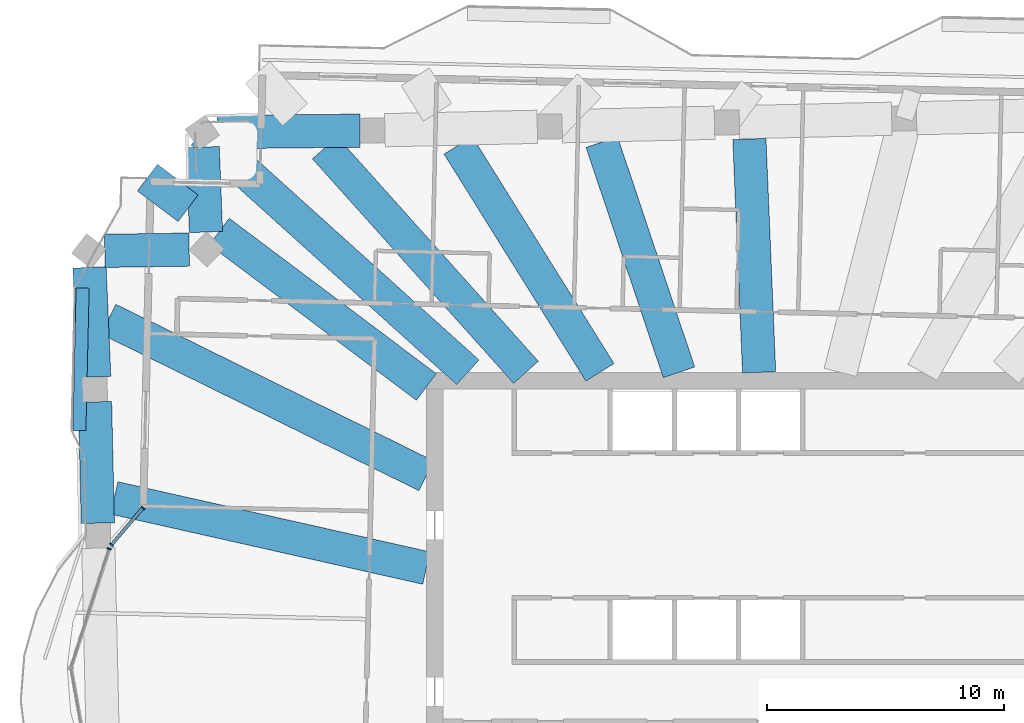
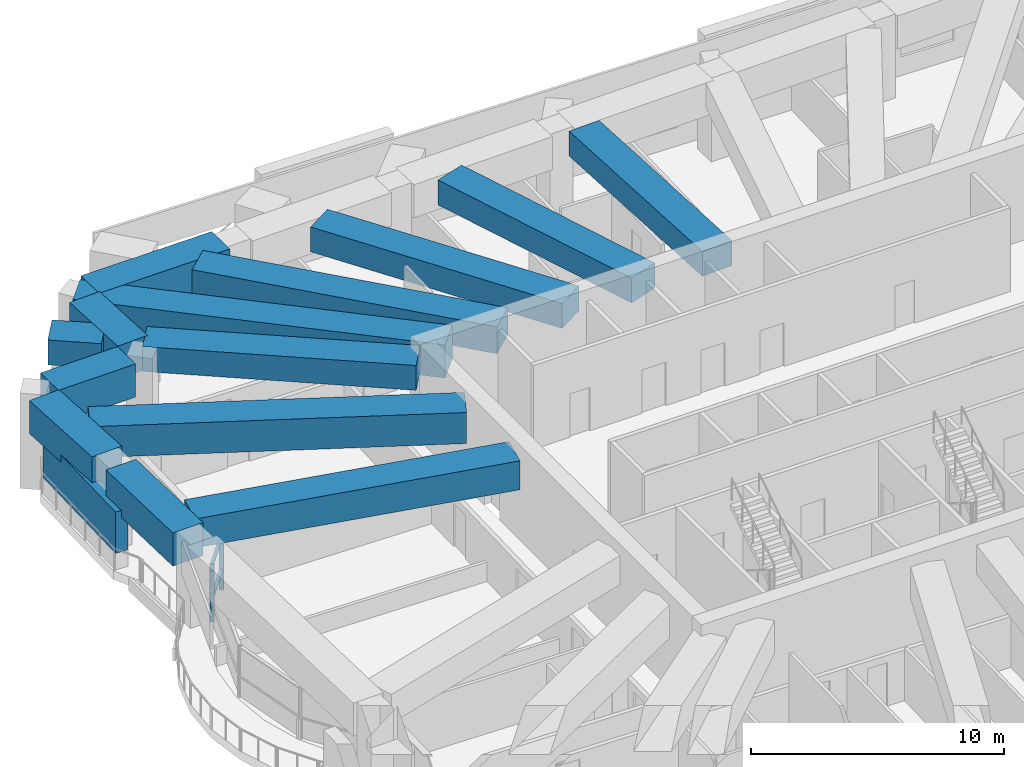
# One storey, part 5 of 20: 14 beams, 6 members, 2 elements without a shape of their own.
"""IFC4 building model written with IfcOpenShell, lengths in metres."""

from ifc_helpers import new_model, si_unit, direction, frame, origin, origin_2d, place, context, subcontext, project, spatial, rectangle, extrude, material, material_profile, profile_set, type_object, element, aggregate, save


model = new_model("IFC4")

# Units and contexts
model_context = context("Model", 3, precision=1e-05, world=origin(), true_north=direction((0.0, 1.0)))
body_context = subcontext(model_context, "Body", "Model", "MODEL_VIEW")
ifc_project = project(units=[si_unit("LENGTHUNIT", "METRE"), si_unit("AREAUNIT", "SQUARE_METRE"), si_unit("VOLUMEUNIT", "CUBIC_METRE"), si_unit("PLANEANGLEUNIT", "RADIAN"), si_unit("MASSUNIT", "GRAM", prefix="KILO")], contexts=[model_context])

# Site, building, storey
site_placement = place(None, origin())
site = spatial("IfcSite", under=ifc_project, at=site_placement, CompositionType="ELEMENT")
building_placement = place(site_placement, origin())
building = spatial("IfcBuilding", under=site, at=building_placement, Name="Mangrove Gate Tower", CompositionType="ELEMENT")
storey_placement = place(building_placement, frame((0.0, 0.0, 252.699951171875)))
storey = spatial("IfcBuildingStorey", under=building, at=storey_placement, Name="L64", CompositionType="ELEMENT", Elevation=252.699951171875)

# Member
ifc_material_1 = material(Name="Planting on aluminium trellis", Category="aluminium")
ifc_material_profile_1 = material_profile(ifc_material_1, rectangle(XDim=0.550048828125, YDim=2.0, at=origin_2d()))
ifc_profile_set_1 = profile_set([ifc_material_profile_1], Name="Planting on aluminium trellis")
member_type_1 = type_object("IfcMemberType", Name="Balcony greenery screen 550x2000", PredefinedType="USERDEFINED", material=ifc_profile_set_1)
member_1_placement = place(storey_placement, frame((-29.115966796875, 9.050048828125, 1.800048828125), z_axis=(0.022665943652, 0.999743094499, 0.0), x_axis=(-0.999743094499, 0.022665943652, 0.0)))
element("IfcMember", 1, at=member_1_placement, inside=storey, type_object=member_type_1, Name="GREEN SCREEN L64 W0.1", ObjectType="PLANTING", PredefinedType="USERDEFINED", context=body_context, shape_type="SweptSolid", body=[
    extrude(rectangle(XDim=0.550048828125, YDim=2.0, at=origin_2d()), origin(), (0.0, 0.0, 1.0), 5.99951171875),
])

# Curtain wall, members
ifc_material_2 = material(Name="Aluminium and glass curtain wall", Category="aluminium")
curtain_wall_type = type_object("IfcCurtainWallType", Name="Sky-lounge glazing wall", PredefinedType="NOTDEFINED", material=ifc_material_2)
curtain_wall_1_placement = place(storey_placement, origin())
curtain_wall_1 = element("IfcCurtainWall", 2, at=curtain_wall_1_placement, inside=storey, type_object=curtain_wall_type, Name="Sky-lounge glazing W9p1f1", PredefinedType="NOTDEFINED")
ifc_material_3 = material(Name="Aluminium alloy 6063-T6", Category="aluminium")
ifc_material_profile_2 = material_profile(ifc_material_3, rectangle(XDim=0.06005859375, YDim=0.179931640625, at=origin_2d()))
ifc_profile_set_2 = profile_set([ifc_material_profile_2], Name="Aluminium alloy 6063-T6")
member_type_2 = type_object("IfcMemberType", Name="Sky-lounge glazing mullion 60x180", PredefinedType="MULLION", material=ifc_profile_set_2)
member_2_placement = place(storey_placement, frame((-26.443603515625, 5.78564453125, 0.0), z_axis=(0.0, 0.0, 1.0), x_axis=(-0.650132853001, -0.759820553452, 0.0)))
member_2 = element("IfcMember", 3, at=member_2_placement, type_object=member_type_2, Name="CWK mullion 1", PredefinedType="MULLION", context=body_context, shape_type="SweptSolid", body=[
    extrude(rectangle(XDim=0.06005859375, YDim=0.179931640625, at=origin_2d()), origin(), (0.0, 0.0, 1.0), 2.650146484375),
])
member_3_placement = place(storey_placement, frame((-27.764404296875, 4.241943359375, 0.0), z_axis=(0.0, 0.0, 1.0), x_axis=(-0.650132853001, -0.759820553452, 0.0)))
member_3 = element("IfcMember", 4, at=member_3_placement, type_object=member_type_2, Name="CWK mullion 2", PredefinedType="MULLION", context=body_context, shape_type="SweptSolid", body=[
    extrude(rectangle(XDim=0.06005859375, YDim=0.179931640625, at=origin_2d()), origin(), (0.0, 0.0, 1.0), 2.650146484375),
])

# Curtain wall, member
curtain_wall_2_placement = place(storey_placement, origin())
curtain_wall_2 = element("IfcCurtainWall", 5, at=curtain_wall_2_placement, inside=storey, type_object=curtain_wall_type, Name="Sky-lounge glazing W9p2f1", PredefinedType="NOTDEFINED")
member_4_placement = place(storey_placement, frame((-27.863525390625, 4.06787109375, 0.0), z_axis=(0.0, 0.0, 1.0), x_axis=(-0.306440523358, -0.951889807511, 0.0)))
member_4 = element("IfcMember", 6, at=member_4_placement, type_object=member_type_2, Name="CWK mullion 1", PredefinedType="MULLION", context=body_context, shape_type="SweptSolid", body=[
    extrude(rectangle(XDim=0.06005859375, YDim=0.179931640625, at=origin_2d()), origin(), (0.0, 0.0, 1.0), 2.449951171875),
])
aggregate(curtain_wall_2, [member_4])

# Member
ifc_material_4 = material(Name="Aluminium alloy 6063-T6", Category="aluminium")
ifc_material_profile_3 = material_profile(ifc_material_4, rectangle(XDim=0.06005859375, YDim=0.139892578125, at=origin_2d()))
ifc_profile_set_3 = profile_set([ifc_material_profile_3], Name="Aluminium alloy 6063-T6")
member_type_3 = type_object("IfcMemberType", Name="Sky-lounge glazing transom 60x140", PredefinedType="USERDEFINED", material=ifc_profile_set_3)
member_5_placement = place(storey_placement, frame((-26.462890625, 5.7626953125, 1.0), z_axis=(-0.650189539696, -0.759772046386, 0.0), x_axis=(0.0, 0.0, 1.0)))
member_5 = element("IfcMember", 7, at=member_5_placement, type_object=member_type_3, Name="CWK transom 1.2", ObjectType="TRANSOM", PredefinedType="USERDEFINED", context=body_context, shape_type="SweptSolid", body=[
    extrude(rectangle(XDim=0.06005859375, YDim=0.139892578125, at=origin_2d()), origin(), (0.0, 0.0, 1.0), 1.9716796875),
])

member_6_placement = place(storey_placement, frame((-26.462890625, 5.7626953125, 2.6201171875), z_axis=(-0.650189539696, -0.759772046386, 0.0), x_axis=(0.0, 0.0, 1.0)))
member_6 = element("IfcMember", 8, at=member_6_placement, type_object=member_type_3, Name="CWK transom 1.3", ObjectType="TRANSOM", PredefinedType="USERDEFINED", context=body_context, shape_type="SweptSolid", body=[
    extrude(rectangle(XDim=0.06005859375, YDim=0.139892578125, at=origin_2d()), origin(), (0.0, 0.0, 1.0), 1.9716796875),
])

aggregate(curtain_wall_1, [member_2, member_3, member_5, member_6])

# Beams
ifc_material_5 = material(Name="Concrete C60/75", Category="concrete")
ifc_material_profile_4 = material_profile(ifc_material_5, rectangle(XDim=1.39990234375, YDim=1.199951171875, at=origin_2d()))
ifc_profile_set_4 = profile_set([ifc_material_profile_4], Name="Concrete C60/75")
beam_type_1 = type_object("IfcBeamType", Name="Transfer girder RC 1400x1200 C60/75", PredefinedType="BEAM", material=ifc_profile_set_4)
beam_1_placement = place(storey_placement, frame((-0.480712890625, 11.5, 3.449951171875), z_axis=(-0.041749273251, 0.999128119003, 0.0), x_axis=(-0.999128119003, -0.041749273251, 0.0)))
element("IfcBeam", 9, at=beam_1_placement, inside=storey, type_object=beam_type_1, Name="Transfer girder L64 24", PredefinedType="BEAM", context=body_context, shape_type="SweptSolid", body=[
    extrude(rectangle(XDim=1.39990234375, YDim=1.199951171875, at=origin_2d()), origin(), (0.0, 0.0, 1.0), 9.8359375),
])
beam_2_placement = place(storey_placement, frame((-3.856201171875, 11.5, 3.449951171875), z_axis=(-0.317909772933, 0.948120971329, 0.0), x_axis=(-0.948120971329, -0.317909772933, 0.0)))
element("IfcBeam", 10, at=beam_2_placement, inside=storey, type_object=beam_type_1, Name="Transfer girder L64 25", PredefinedType="BEAM", context=body_context, shape_type="SweptSolid", body=[
    extrude(rectangle(XDim=1.39990234375, YDim=1.199951171875, at=origin_2d()), origin(), (0.0, 0.0, 1.0), 10.22998046875),
])
beam_3_placement = place(storey_placement, frame((-7.186279296875, 11.5, 3.449951171875), z_axis=(-0.529944451684, 0.84803235677, 0.0), x_axis=(-0.84803235677, -0.529944451684, 0.0)))
element("IfcBeam", 11, at=beam_3_placement, inside=storey, type_object=beam_type_1, Name="Transfer girder L64 26", PredefinedType="BEAM", context=body_context, shape_type="SweptSolid", body=[
    extrude(rectangle(XDim=1.39990234375, YDim=1.199951171875, at=origin_2d()), origin(), (0.0, 0.0, 1.0), 11.27734375),
])
beam_4_placement = place(storey_placement, frame((-14.5, 10.88330078125, 3.449951171875), z_axis=(-0.799787777373, 0.600282859296, 0.0), x_axis=(-0.600282859296, -0.799787777373, 0.0)))
element("IfcBeam", 12, at=beam_4_placement, inside=storey, type_object=beam_type_1, Name="Transfer girder L64 29", PredefinedType="BEAM", context=body_context, shape_type="SweptSolid", body=[
    extrude(rectangle(XDim=1.39990234375, YDim=1.199951171875, at=origin_2d()), origin(), (0.0, 0.0, 1.0), 10.908447265625),
])
beam_5_placement = place(storey_placement, frame((-24.535888671875, 18.416015625, 3.449951171875), z_axis=(-0.799822150624, 0.600237059311, 0.0), x_axis=(-0.600237059311, -0.799822150624, 0.0)))
element("IfcBeam", 13, at=beam_5_placement, inside=storey, type_object=beam_type_1, Name="Transfer cantilever girder L64 29", PredefinedType="BEAM", context=body_context, shape_type="SweptSolid", body=[
    extrude(rectangle(XDim=1.39990234375, YDim=1.199951171875, at=origin_2d()), origin(), (0.0, 0.0, 1.0), 2.141845703125),
])
ifc_material_6 = material(Name="Concrete C60/75", Category="concrete")
ifc_material_profile_5 = material_profile(ifc_material_6, rectangle(XDim=1.39990234375, YDim=1.300048828125, at=origin_2d()))
ifc_profile_set_5 = profile_set([ifc_material_profile_5], Name="Concrete C60/75")
beam_type_2 = type_object("IfcBeamType", Name="Transfer girder RC 1400x1300 C60/75", PredefinedType="BEAM", material=ifc_profile_set_5)
beam_6_placement = place(storey_placement, frame((-10.302978515625, 11.5, 3.400146484375), z_axis=(-0.667291421922, 0.744796722757, 0.0), x_axis=(-0.744796722757, -0.667291421922, 0.0)))
element("IfcBeam", 14, at=beam_6_placement, inside=storey, type_object=beam_type_2, Name="Transfer girder L64 27", PredefinedType="BEAM", context=body_context, shape_type="SweptSolid", body=[
    extrude(rectangle(XDim=1.39990234375, YDim=1.300048828125, at=origin_2d()), origin(), (0.0, 0.0, 1.0), 12.70068359375),
])
ifc_material_7 = material(Name="Concrete C60/75", Category="concrete")
ifc_material_profile_6 = material_profile(ifc_material_7, rectangle(XDim=1.39990234375, YDim=1.39990234375, at=origin_2d()))
ifc_profile_set_6 = profile_set([ifc_material_profile_6], Name="Concrete C60/75")
beam_type_3 = type_object("IfcBeamType", Name="Transfer girder RC 1400x1400 C60/75", PredefinedType="BEAM", material=ifc_profile_set_6)
beam_7_placement = place(storey_placement, frame((-14.5, 3.255859375, 3.35009765625), z_axis=(-0.975703288629, 0.219096080654, 0.0), x_axis=(-0.219096080654, -0.975703288629, 0.0)))
element("IfcBeam", 15, at=beam_7_placement, inside=storey, type_object=beam_type_3, Name="Transfer girder L64 31", PredefinedType="BEAM", context=body_context, shape_type="SweptSolid", body=[
    extrude(rectangle(XDim=1.39990234375, YDim=1.39990234375, at=origin_2d()), origin(), (0.0, 0.0, 1.0), 13.47314453125),
])
ifc_material_8 = material(Name="Concrete C60/75", Category="concrete")
ifc_material_profile_7 = material_profile(ifc_material_8, rectangle(XDim=1.39990234375, YDim=1.5, at=origin_2d()))
ifc_profile_set_7 = profile_set([ifc_material_profile_7], Name="Concrete C60/75")
beam_type_4 = type_object("IfcBeamType", Name="Transfer girder RC 1400x1500 C60/75", PredefinedType="BEAM", material=ifc_profile_set_7)
beam_8_placement = place(storey_placement, frame((-14.5, 7.142333984375, 3.300048828125), z_axis=(-0.897076939632, 0.441874376244, 0.0), x_axis=(-0.441874376244, -0.897076939632, 0.0)))
element("IfcBeam", 16, at=beam_8_placement, inside=storey, type_object=beam_type_4, Name="Transfer girder L64 30", PredefinedType="BEAM", context=body_context, shape_type="SweptSolid", body=[
    extrude(rectangle(XDim=1.39990234375, YDim=1.5, at=origin_2d()), origin(), (0.0, 0.0, 1.0), 14.928955078125),
])
ifc_material_9 = material(Name="Concrete C60/75", Category="concrete")
ifc_material_profile_8 = material_profile(ifc_material_9, rectangle(XDim=1.39990234375, YDim=1.60009765625, at=origin_2d()))
ifc_profile_set_8 = profile_set([ifc_material_profile_8], Name="Concrete C60/75")
beam_type_5 = type_object("IfcBeamType", Name="Transfer girder RC 1400x1600 C60/75", PredefinedType="BEAM", material=ifc_profile_set_8)
beam_9_placement = place(storey_placement, frame((-17.294189453125, 21.681640625, 3.25), z_axis=(-0.999946001693, -0.010392001641, 0.0), x_axis=(0.010392001641, -0.999946001693, 0.0)))
element("IfcBeam", 17, at=beam_9_placement, inside=storey, type_object=beam_type_5, Name="Transfer ring girder L64 24", PredefinedType="BEAM", context=body_context, shape_type="SweptSolid", body=[
    extrude(rectangle(XDim=1.39990234375, YDim=1.60009765625, at=origin_2d()), origin(), (0.0, 0.0, 1.0), 6.01416015625),
])
beam_10_placement = place(storey_placement, frame((-23.9208984375, 20.98779296875, 3.25), z_axis=(0.038611273731, -0.999254306741, 0.0), x_axis=(0.999254306741, 0.038611273731, 0.0)))
element("IfcBeam", 18, at=beam_10_placement, inside=storey, type_object=beam_type_5, Name="Transfer ring girder L64 25", PredefinedType="BEAM", context=body_context, shape_type="SweptSolid", body=[
    extrude(rectangle(XDim=1.39990234375, YDim=1.60009765625, at=origin_2d()), origin(), (0.0, 0.0, 1.0), 3.578857421875),
])
beam_11_placement = place(storey_placement, frame((-24.490966796875, 16.67041015625, 3.25), z_axis=(-0.999893055651, -0.014624543079, 0.0), x_axis=(0.014624543079, -0.999893055651, 0.0)))
element("IfcBeam", 19, at=beam_11_placement, inside=storey, type_object=beam_type_5, Name="Transfer ring girder L64 26", PredefinedType="BEAM", context=body_context, shape_type="SweptSolid", body=[
    extrude(rectangle(XDim=1.39990234375, YDim=1.60009765625, at=origin_2d()), origin(), (0.0, 0.0, 1.0), 3.555908203125),
])
beam_12_placement = place(storey_placement, frame((-28.6884765625, 15.921875, 3.25), z_axis=(0.0427997553, -0.999083670643, 0.0), x_axis=(0.999083670643, 0.0427997553, 0.0)))
element("IfcBeam", 20, at=beam_12_placement, inside=storey, type_object=beam_type_5, Name="Transfer ring girder L64 27", PredefinedType="BEAM", context=body_context, shape_type="SweptSolid", body=[
    extrude(rectangle(XDim=1.39990234375, YDim=1.60009765625, at=origin_2d()), origin(), (0.0, 0.0, 1.0), 4.620361328125),
])
beam_13_placement = place(storey_placement, frame((-28.456298828125, 10.256103515625, 3.25), z_axis=(0.022734424462, -0.999741539571, 0.0), x_axis=(0.999741539571, 0.022734424462, 0.0)))
element("IfcBeam", 21, at=beam_13_placement, inside=storey, type_object=beam_type_5, Name="Transfer ring girder L64 28", PredefinedType="BEAM", context=body_context, shape_type="SweptSolid", body=[
    extrude(rectangle(XDim=1.39990234375, YDim=1.60009765625, at=origin_2d()), origin(), (0.0, 0.0, 1.0), 5.111572265625),
])
beam_14_placement = place(storey_placement, frame((-12.752197265625, 11.5, 3.25), z_axis=(-0.7426308573, 0.669700985355, 0.0), x_axis=(-0.669700985355, -0.7426308573, 0.0)))
element("IfcBeam", 22, at=beam_14_placement, inside=storey, type_object=beam_type_5, Name="Transfer girder L64 28", PredefinedType="BEAM", context=body_context, shape_type="SweptSolid", body=[
    extrude(rectangle(XDim=1.39990234375, YDim=1.60009765625, at=origin_2d()), origin(), (0.0, 0.0, 1.0), 15.071044921875),
])

save(model, "model.ifc")
